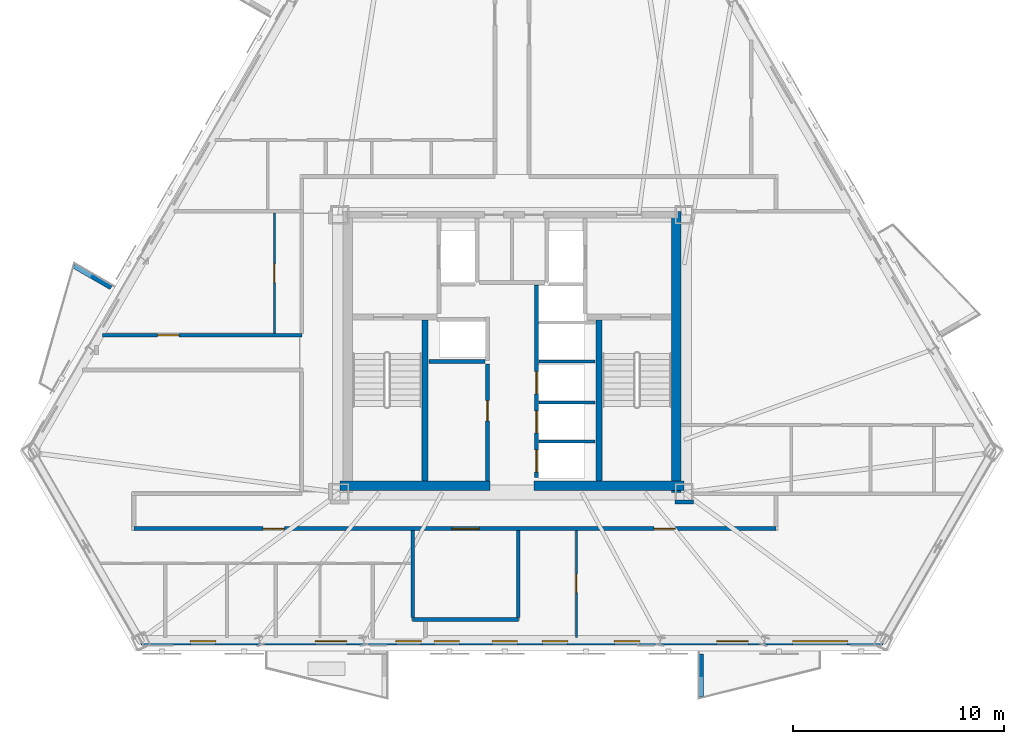
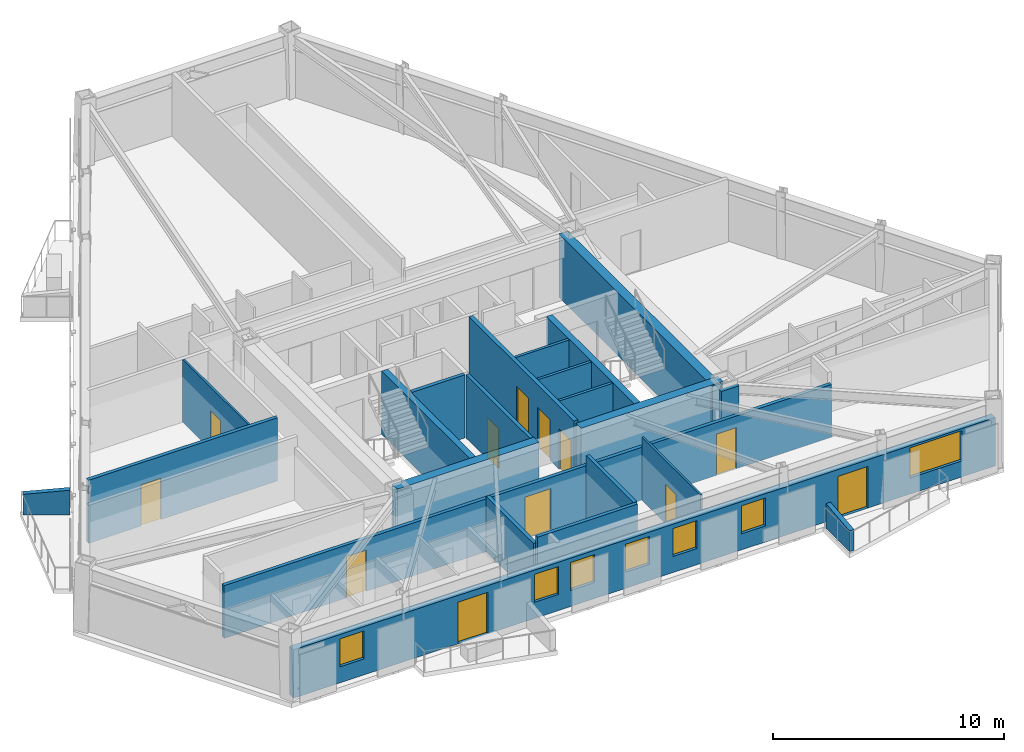
# One storey, part 3 of 9: 22 walls, 12 doors, 7 windows, 19 openings.
"""IFC4 building model written with IfcOpenShell, lengths in metres."""

from ifc_helpers import new_model, si_unit, direction, frame, frame_2d, origin, place, context, subcontext, project, spatial, polyline, rectangle, outline, extrude, material, layer, layer_set, type_object, element, fill, save


model = new_model("IFC4")

# Units and contexts
model_context = context("Model", 3, precision=1e-05, world=origin(), true_north=direction((0.0, 1.0)))
body_context = subcontext(model_context, "Body", "Model", "MODEL_VIEW")
ifc_project = project(units=[si_unit("LENGTHUNIT", "METRE"), si_unit("AREAUNIT", "SQUARE_METRE"), si_unit("VOLUMEUNIT", "CUBIC_METRE"), si_unit("PLANEANGLEUNIT", "RADIAN"), si_unit("MASSUNIT", "GRAM", prefix="KILO")], contexts=[model_context])

# Site, building, storey
site_placement = place(None, origin())
site = spatial("IfcSite", under=ifc_project, at=site_placement, CompositionType="ELEMENT")
building_placement = place(site_placement, origin())
building = spatial("IfcBuilding", under=site, at=building_placement, Name="Oramaril Tower", CompositionType="ELEMENT")
storey_placement = place(building_placement, frame((0.0, 0.0, 130.199951171875)))
storey = spatial("IfcBuildingStorey", under=building, at=storey_placement, Name="L34", CompositionType="ELEMENT", Elevation=130.199951171875)

# Wall, openings, doors, windows
ifc_material_1 = material(Name="Warm Cream Limestone", Category="masonry")
ifc_layer_1 = layer(ifc_material_1, 0.340087890625)
ifc_layer_set_1 = layer_set([ifc_layer_1], Name="WT-EXT34")
wall_type_1 = type_object("IfcWallType", Name="WT-EXT34", PredefinedType="SOLIDWALL", material=ifc_layer_set_1)
wall_1_placement = place(storey_placement, frame((19.939208984375, 3.9599609375, 0.0), z_axis=(0.0, 0.0, 1.0), x_axis=(1.0, 0.0, 0.0)))
wall_1 = element("IfcWall", 1, at=wall_1_placement, inside=storey, type_object=wall_type_1, Name="L34 Tower Limestone Facade Wall 2M", PredefinedType="SOLIDWALL", context=body_context, shape_type="SweptSolid", body=[
    extrude(rectangle(XDim=35.12158203125, YDim=0.340087890625, at=frame_2d((17.560791015625, 0.0))), origin(), (0.0, 0.0, 1.0), 2.55810546875),
])
opening_1_placement = place(wall_1_placement, frame((8.244384765625, 0.0, 0.0)))
opening_1 = element("IfcOpeningElement", 2, at=opening_1_placement, cuts=wall_1, Name="Opening D-L34-BAL-S1", PredefinedType="OPENING", context=body_context, shape_type="SweptSolid", body=[
    extrude(rectangle(XDim=1.5, YDim=2.199951171875, at=frame_2d((0.75, 1.10009765625))), frame((0.0, 0.169921875, 0.0), z_axis=(0.0, -1.0, 0.0), x_axis=(1.0, 0.0, 0.0)), (0.0, 0.0, 1.0), 0.340087890625),
])
opening_2_placement = place(wall_1_placement, frame((27.252197265625, 0.0, 0.0)))
opening_2 = element("IfcOpeningElement", 3, at=opening_2_placement, cuts=wall_1, Name="Opening D-L34-BAL-S2", PredefinedType="OPENING", context=body_context, shape_type="SweptSolid", body=[
    extrude(rectangle(XDim=1.5, YDim=2.199951171875, at=frame_2d((0.75, 1.10009765625))), frame((0.0, 0.169921875, 0.0), z_axis=(0.0, -1.0, 0.0), x_axis=(1.0, 0.0, 0.0)), (0.0, 0.0, 1.0), 0.340087890625),
])
opening_3_placement = place(wall_1_placement, frame((12.05908203125, 0.0, 0.85009765625)))
opening_3 = element("IfcOpeningElement", 4, at=opening_3_placement, cuts=wall_1, Name="Opening WN-09", PredefinedType="OPENING", context=body_context, shape_type="SweptSolid", body=[
    extrude(rectangle(XDim=1.199951171875, YDim=1.47998046875, at=frame_2d((0.60009765625, 0.739990234375))), frame((0.0, 0.169921875, 0.0), z_axis=(0.0, -1.0, 0.0), x_axis=(1.0, 0.0, 0.0)), (0.0, 0.0, 1.0), 0.340087890625),
])
opening_4_placement = place(wall_1_placement, frame((16.6171875, 0.0, 0.85009765625)))
opening_4 = element("IfcOpeningElement", 5, at=opening_4_placement, cuts=wall_1, Name="Opening WN-09", PredefinedType="OPENING", context=body_context, shape_type="SweptSolid", body=[
    extrude(rectangle(XDim=1.199951171875, YDim=1.47998046875, at=frame_2d((0.60009765625, 0.739990234375))), frame((0.0, 0.169921875, 0.0), z_axis=(0.0, -1.0, 0.0), x_axis=(1.0, 0.0, 0.0)), (0.0, 0.0, 1.0), 0.340087890625),
])
opening_5_placement = place(wall_1_placement, frame((22.4091796875, 0.0, 0.85009765625)))
opening_5 = element("IfcOpeningElement", 6, at=opening_5_placement, cuts=wall_1, Name="Opening WN-09", PredefinedType="OPENING", context=body_context, shape_type="SweptSolid", body=[
    extrude(rectangle(XDim=1.199951171875, YDim=1.47998046875, at=frame_2d((0.60009765625, 0.739990234375))), frame((0.0, 0.169921875, 0.0), z_axis=(0.0, -1.0, 0.0), x_axis=(1.0, 0.0, 0.0)), (0.0, 0.0, 1.0), 0.340087890625),
])
opening_6_placement = place(wall_1_placement, frame((30.844482421875, 0.0, 0.85009765625)))
opening_6 = element("IfcOpeningElement", 7, at=opening_6_placement, cuts=wall_1, Name="Opening WN-02", PredefinedType="OPENING", context=body_context, shape_type="SweptSolid", body=[
    extrude(rectangle(XDim=2.60009765625, YDim=1.597900390625, at=frame_2d((1.300048828125, 0.798828125))), frame((0.0, 0.169921875, 0.0), z_axis=(0.0, -1.0, 0.0), x_axis=(1.0, 0.0, 0.0)), (0.0, 0.0, 1.0), 0.340087890625),
])
opening_7_placement = place(wall_1_placement, frame((13.871337890625, 0.0, 0.85009765625)))
opening_7 = element("IfcOpeningElement", 8, at=opening_7_placement, cuts=wall_1, Name="Opening WN-09", PredefinedType="OPENING", context=body_context, shape_type="SweptSolid", body=[
    extrude(rectangle(XDim=1.199951171875, YDim=1.47998046875, at=frame_2d((0.60009765625, 0.739990234375))), frame((0.0, 0.169921875, 0.0), z_axis=(0.0, -1.0, 0.0), x_axis=(1.0, 0.0, 0.0)), (0.0, 0.0, 1.0), 0.340087890625),
])
opening_8_placement = place(wall_1_placement, frame((18.99658203125, 0.0, 0.85009765625)))
opening_8 = element("IfcOpeningElement", 9, at=opening_8_placement, cuts=wall_1, Name="Opening WN-09", PredefinedType="OPENING", context=body_context, shape_type="SweptSolid", body=[
    extrude(rectangle(XDim=1.199951171875, YDim=1.47998046875, at=frame_2d((0.60009765625, 0.739990234375))), frame((0.0, 0.169921875, 0.0), z_axis=(0.0, -1.0, 0.0), x_axis=(1.0, 0.0, 0.0)), (0.0, 0.0, 1.0), 0.340087890625),
])
opening_9_placement = place(wall_1_placement, frame((2.33740234375, 0.0, 0.85009765625)))
opening_9 = element("IfcOpeningElement", 10, at=opening_9_placement, cuts=wall_1, Name="Opening WN-09", PredefinedType="OPENING", context=body_context, shape_type="SweptSolid", body=[
    extrude(rectangle(XDim=1.199951171875, YDim=1.47998046875, at=frame_2d((0.60009765625, 0.739990234375))), frame((0.0, 0.169921875, 0.0), z_axis=(0.0, -1.0, 0.0), x_axis=(1.0, 0.0, 0.0)), (0.0, 0.0, 1.0), 0.340087890625),
])
ifc_material_2 = material(Name="Anodised Aluminium 6063-T6", Category="aluminium")
door_type_1 = type_object("IfcDoorType", Name="DT-BAL", OperationType="NOTDEFINED", PredefinedType="DOOR", material=ifc_material_2)
door_1_placement = place(opening_1_placement, origin())
door_1 = element("IfcDoor", 11, at=door_1_placement, inside=storey, type_object=door_type_1, Name="L34 Balcony Glazed Door L34-BAL-S1", OperationType="SINGLE_SWING_LEFT", OverallHeight=2.199951171875, OverallWidth=1.5, PredefinedType="DOOR", context=body_context, shape_type="SweptSolid", body=[
    extrude(rectangle(XDim=1.5, YDim=2.199951171875, at=frame_2d((0.75, 1.10009765625))), frame((0.0, 0.02490234375, 0.0), z_axis=(0.0, -1.0, 0.0), x_axis=(1.0, 0.0, 0.0)), (0.0, 0.0, 1.0), 0.050048828125),
])
fill(opening_1, door_1)
door_2_placement = place(opening_2_placement, origin())
door_2 = element("IfcDoor", 12, at=door_2_placement, inside=storey, type_object=door_type_1, Name="L34 Balcony Glazed Door L34-BAL-S2", OperationType="SINGLE_SWING_RIGHT", OverallHeight=2.199951171875, OverallWidth=1.5, PredefinedType="DOOR", context=body_context, shape_type="SweptSolid", body=[
    extrude(rectangle(XDim=1.5, YDim=2.199951171875, at=frame_2d((0.75, 1.10009765625))), frame((0.0, 0.02490234375, 0.0), z_axis=(0.0, -1.0, 0.0), x_axis=(1.0, 0.0, 0.0)), (0.0, 0.0, 1.0), 0.050048828125),
])
fill(opening_2, door_2)
ifc_material_3 = material(Name="Coastal Low-E Insulated Glass", Category="glass")
window_type_1 = type_object("IfcWindowType", Name="WNT-02", PartitioningType="SINGLE_PANEL", PredefinedType="WINDOW", material=ifc_material_3)
window_1_placement = place(opening_6_placement, origin())
window_1 = element("IfcWindow", 13, at=window_1_placement, inside=storey, type_object=window_type_1, Name="L34 Chicago Bay Window WN-02", OverallHeight=1.597900390625, OverallWidth=2.60009765625, PartitioningType="SINGLE_PANEL", PredefinedType="WINDOW", context=body_context, shape_type="SweptSolid", body=[
    extrude(rectangle(XDim=2.60009765625, YDim=1.597900390625, at=frame_2d((1.300048828125, 0.798828125))), frame((0.0, 0.030029296875, 0.0), z_axis=(0.0, -1.0, 0.0), x_axis=(1.0, 0.0, 0.0)), (0.0, 0.0, 1.0), 0.06005859375),
])
fill(opening_6, window_1)
ifc_material_4 = material(Name="Coastal Low-E Insulated Glass", Category="glass")
window_type_2 = type_object("IfcWindowType", Name="WNT-09", PartitioningType="SINGLE_PANEL", PredefinedType="WINDOW", material=ifc_material_4)
window_2_placement = place(opening_3_placement, origin())
window_2 = element("IfcWindow", 14, at=window_2_placement, inside=storey, type_object=window_type_2, Name="L34 Chicago Bay Window WN-09", OverallHeight=1.47998046875, OverallWidth=1.199951171875, PartitioningType="SINGLE_PANEL", PredefinedType="WINDOW", context=body_context, shape_type="SweptSolid", body=[
    extrude(rectangle(XDim=1.199951171875, YDim=1.47998046875, at=frame_2d((0.60009765625, 0.739990234375))), frame((0.0, 0.030029296875, 0.0), z_axis=(0.0, -1.0, 0.0), x_axis=(1.0, 0.0, 0.0)), (0.0, 0.0, 1.0), 0.06005859375),
])
fill(opening_3, window_2)
window_3_placement = place(opening_4_placement, origin())
window_3 = element("IfcWindow", 15, at=window_3_placement, inside=storey, type_object=window_type_2, Name="L34 Chicago Bay Window WN-09", OverallHeight=1.47998046875, OverallWidth=1.199951171875, PartitioningType="SINGLE_PANEL", PredefinedType="WINDOW", context=body_context, shape_type="SweptSolid", body=[
    extrude(rectangle(XDim=1.199951171875, YDim=1.47998046875, at=frame_2d((0.60009765625, 0.739990234375))), frame((0.0, 0.030029296875, 0.0), z_axis=(0.0, -1.0, 0.0), x_axis=(1.0, 0.0, 0.0)), (0.0, 0.0, 1.0), 0.06005859375),
])
fill(opening_4, window_3)
window_4_placement = place(opening_5_placement, origin())
window_4 = element("IfcWindow", 16, at=window_4_placement, inside=storey, type_object=window_type_2, Name="L34 Chicago Bay Window WN-09", OverallHeight=1.47998046875, OverallWidth=1.199951171875, PartitioningType="SINGLE_PANEL", PredefinedType="WINDOW", context=body_context, shape_type="SweptSolid", body=[
    extrude(rectangle(XDim=1.199951171875, YDim=1.47998046875, at=frame_2d((0.60009765625, 0.739990234375))), frame((0.0, 0.030029296875, 0.0), z_axis=(0.0, -1.0, 0.0), x_axis=(1.0, 0.0, 0.0)), (0.0, 0.0, 1.0), 0.06005859375),
])
fill(opening_5, window_4)
window_5_placement = place(opening_7_placement, origin())
window_5 = element("IfcWindow", 17, at=window_5_placement, inside=storey, type_object=window_type_2, Name="L34 Chicago Bay Window WN-09", OverallHeight=1.47998046875, OverallWidth=1.199951171875, PartitioningType="SINGLE_PANEL", PredefinedType="WINDOW", context=body_context, shape_type="SweptSolid", body=[
    extrude(rectangle(XDim=1.199951171875, YDim=1.47998046875, at=frame_2d((0.60009765625, 0.739990234375))), frame((0.0, 0.030029296875, 0.0), z_axis=(0.0, -1.0, 0.0), x_axis=(1.0, 0.0, 0.0)), (0.0, 0.0, 1.0), 0.06005859375),
])
fill(opening_7, window_5)
window_6_placement = place(opening_8_placement, origin())
window_6 = element("IfcWindow", 18, at=window_6_placement, inside=storey, type_object=window_type_2, Name="L34 Chicago Bay Window WN-09", OverallHeight=1.47998046875, OverallWidth=1.199951171875, PartitioningType="SINGLE_PANEL", PredefinedType="WINDOW", context=body_context, shape_type="SweptSolid", body=[
    extrude(rectangle(XDim=1.199951171875, YDim=1.47998046875, at=frame_2d((0.60009765625, 0.739990234375))), frame((0.0, 0.030029296875, 0.0), z_axis=(0.0, -1.0, 0.0), x_axis=(1.0, 0.0, 0.0)), (0.0, 0.0, 1.0), 0.06005859375),
])
fill(opening_8, window_6)
window_7_placement = place(opening_9_placement, origin())
window_7 = element("IfcWindow", 19, at=window_7_placement, inside=storey, type_object=window_type_2, Name="L34 Chicago Bay Window WN-09", OverallHeight=1.47998046875, OverallWidth=1.199951171875, PartitioningType="SINGLE_PANEL", PredefinedType="WINDOW", context=body_context, shape_type="SweptSolid", body=[
    extrude(rectangle(XDim=1.199951171875, YDim=1.47998046875, at=frame_2d((0.60009765625, 0.739990234375))), frame((0.0, 0.030029296875, 0.0), z_axis=(0.0, -1.0, 0.0), x_axis=(1.0, 0.0, 0.0)), (0.0, 0.0, 1.0), 0.06005859375),
])
fill(opening_9, window_7)

# Walls
ifc_material_5 = material(Name="Concrete C40/50", Category="concrete")
ifc_layer_2 = layer(ifc_material_5, 0.22998046875)
ifc_layer_set_2 = layer_set([ifc_layer_2], Name="WT-PRP23")
wall_type_2 = type_object("IfcWallType", Name="WT-PRP23", PredefinedType="PARAPET", material=ifc_layer_set_2)
for number, where, z_axis, x_axis, name in (
    (20, (46.456298828125, 3.36181640625, 0.0), (0.0, 0.0, 1.0), (0.0, -1.0, 0.0), "L34 Trapezoidal Balcony Frame Cheek L34-BAL-S2-L"),
    (21, (18.526123046875, 20.71240234375, 0.0), (0.0, 0.0, 1.0), (-0.866012356593, 0.500022597718, 0.0), "L34 Trapezoidal Balcony Frame Cheek L34-BAL-NW2-L"),
):
    element("IfcWall", number, at=place(storey_placement, frame(where, z_axis=z_axis, x_axis=x_axis)), inside=storey, type_object=wall_type_2, Name=name, PredefinedType="PARAPET", context=body_context, shape_type="SweptSolid", body=[
        extrude(outline(polyline([(0.0, 0.0), (2.0419921875, 0.0), (2.0419921875, 1.10009765625), (0.0, 1.320068359375), (0.0, 0.0)])), frame((0.0, 0.114990234375, 0.0), z_axis=(0.0, -1.0, 0.0), x_axis=(1.0, 0.0, 0.0)), (0.0, 0.0, 1.0), 0.22998046875),
    ])

# Wall, opening, door
ifc_material_6 = material(Name="Acoustic Gypsum Board Partition")
ifc_layer_3 = layer(ifc_material_6, 0.10009765625)
ifc_layer_set_3 = layer_set([ifc_layer_3], Name="WT-PT10")
wall_type_3 = type_object("IfcWallType", Name="WT-PT10", PredefinedType="PARTITIONING", material=ifc_layer_set_3)
wall_2_placement = place(storey_placement, frame((26.25, 18.5439453125, 0.0), z_axis=(0.0, 0.0, 1.0), x_axis=(0.0, 1.0, 0.0)))
wall_2 = element("IfcWall", 22, at=wall_2_placement, inside=storey, type_object=wall_type_3, Name="L34 Interior Partition PT-10", PredefinedType="PARTITIONING", context=body_context, shape_type="SweptSolid", body=[
    extrude(rectangle(XDim=5.68212890625, YDim=0.10009765625, at=frame_2d((2.841064453125, 0.0))), origin(), (0.0, 0.0, 1.0), 3.340087890625),
])
opening_10_placement = place(wall_2_placement, frame((2.40087890625, 0.0, 0.0)))
opening_10 = element("IfcOpeningElement", 23, at=opening_10_placement, cuts=wall_2, Name="Opening D-L34-21", PredefinedType="OPENING", context=body_context, shape_type="SweptSolid", body=[
    extrude(rectangle(XDim=0.8798828125, YDim=2.080078125, at=frame_2d((0.43994140625, 1.0400390625))), frame((0.0, 0.050048828125, 0.0), z_axis=(0.0, -1.0, 0.0), x_axis=(1.0, 0.0, 0.0)), (0.0, 0.0, 1.0), 0.10009765625),
])
ifc_material_7 = material(Name="FSC Brazilian Freijo Hardwood", Category="wood")
door_type_2 = type_object("IfcDoorType", Name="DT-BATH", OperationType="NOTDEFINED", PredefinedType="DOOR", material=ifc_material_7)
door_3_placement = place(opening_10_placement, origin())
door_3 = element("IfcDoor", 24, at=door_3_placement, inside=storey, type_object=door_type_2, Name="L34 Flat L34-U3 Bathroom Door D-L34-21", OperationType="SINGLE_SWING_LEFT", OverallHeight=2.080078125, OverallWidth=0.8798828125, PredefinedType="DOOR", context=body_context, shape_type="SweptSolid", body=[
    extrude(rectangle(XDim=0.8798828125, YDim=2.080078125, at=frame_2d((0.43994140625, 1.0400390625))), frame((0.0, 0.02490234375, 0.0), z_axis=(0.0, -1.0, 0.0), x_axis=(1.0, 0.0, 0.0)), (0.0, 0.0, 1.0), 0.050048828125),
])
fill(opening_10, door_3)

wall_3_placement = place(storey_placement, frame((40.550048828125, 4.1337890625, 0.0), z_axis=(0.0, 0.0, 1.0), x_axis=(0.0, 1.0, 0.0)))
wall_3 = element("IfcWall", 25, at=wall_3_placement, inside=storey, type_object=wall_type_3, Name="L34 Interior Partition PT-10", PredefinedType="PARTITIONING", context=body_context, shape_type="SweptSolid", body=[
    extrude(rectangle(XDim=5.072265625, YDim=0.10009765625, at=frame_2d((2.5361328125, 0.0))), origin(), (0.0, 0.0, 1.0), 3.340087890625),
])
opening_11_placement = place(wall_3_placement, frame((2.131103515625, 0.0, 0.0)))
opening_11 = element("IfcOpeningElement", 26, at=opening_11_placement, cuts=wall_3, Name="Opening D-L34-24", PredefinedType="OPENING", context=body_context, shape_type="SweptSolid", body=[
    extrude(rectangle(XDim=0.8798828125, YDim=2.080078125, at=frame_2d((0.43994140625, 1.0400390625))), frame((0.0, 0.050048828125, 0.0), z_axis=(0.0, -1.0, 0.0), x_axis=(1.0, 0.0, 0.0)), (0.0, 0.0, 1.0), 0.10009765625),
])
door_4_placement = place(opening_11_placement, origin())
door_4 = element("IfcDoor", 27, at=door_4_placement, inside=storey, type_object=door_type_2, Name="L34 Flat L34-U1 Bathroom Door D-L34-24", OperationType="SINGLE_SWING_RIGHT", OverallHeight=2.080078125, OverallWidth=0.8798828125, PredefinedType="DOOR", context=body_context, shape_type="SweptSolid", body=[
    extrude(rectangle(XDim=0.8798828125, YDim=2.080078125, at=frame_2d((0.43994140625, 1.0400390625))), frame((0.0, 0.02490234375, 0.0), z_axis=(0.0, -1.0, 0.0), x_axis=(1.0, 0.0, 0.0)), (0.0, 0.0, 1.0), 0.050048828125),
])
fill(opening_11, door_4)

# Walls
ifc_material_8 = material(Name="Acoustic Gypsum Board Partition")
ifc_layer_4 = layer(ifc_material_8, 0.139892578125)
ifc_layer_set_4 = layer_set([ifc_layer_4], Name="WT-PT14")
wall_type_4 = type_object("IfcWallType", Name="WT-PT14", PredefinedType="PARTITIONING", material=ifc_layer_set_4)
for number, where, z_axis, x_axis, name in (
    (28, (38.780029296875, 13.419921875, 0.0), (0.0, 0.0, 1.0), (1.0, 0.0, 0.0), "L34 East Lift Divider"),
    (29, (38.780029296875, 15.27001953125, 0.0), (0.0, 0.0, 1.0), (1.0, 0.0, 0.0), "L34 East Lift Divider"),
    (30, (38.780029296875, 17.199951171875, 0.0), (0.0, 0.0, 1.0), (1.0, 0.0, 0.0), "L34 East Lift Divider"),
):
    element("IfcWall", number, at=place(storey_placement, frame(where, z_axis=z_axis, x_axis=x_axis)), inside=storey, type_object=wall_type_4, Name=name, PredefinedType="PARTITIONING", context=body_context, shape_type="SweptSolid", body=[
        extrude(rectangle(XDim=2.659912109375, YDim=0.139892578125, at=frame_2d((1.330078125, 0.0))), origin(), (0.0, 0.0, 1.0), 3.340087890625),
    ])
ifc_material_9 = material(Name="Autoclaved Cellular Concrete Block", Category="concrete")
ifc_layer_5 = layer(ifc_material_9, 0.179931640625)
ifc_layer_set_5 = layer_set([ifc_layer_5], Name="WT-PT18")
wall_type_5 = type_object("IfcWallType", Name="WT-PT18", PredefinedType="PARTITIONING", material=ifc_layer_set_5)
wall_4_placement = place(storey_placement, frame((33.56005859375, 17.199951171875, 0.0), z_axis=(0.0, 0.0, 1.0), x_axis=(1.0, 0.0, 0.0)))
element("IfcWall", 31, at=wall_4_placement, inside=storey, type_object=wall_type_5, Name="L34 High-Rise Lift H1 South Wall", PredefinedType="PARTITIONING", context=body_context, shape_type="SweptSolid", body=[
    extrude(rectangle(XDim=2.659912109375, YDim=0.179931640625, at=frame_2d((1.330078125, 0.0))), origin(), (0.0, 0.0, 1.0), 3.340087890625),
])

# Wall, opening, door
wall_5_placement = place(storey_placement, frame((36.340087890625, 11.550048828125, 0.0), z_axis=(0.0, 0.0, 1.0), x_axis=(0.0, 1.0, 0.0)))
wall_5 = element("IfcWall", 32, at=wall_5_placement, inside=storey, type_object=wall_type_5, Name="L34 Freed Shaft Study East Wall", PredefinedType="PARTITIONING", context=body_context, shape_type="SweptSolid", body=[
    extrude(rectangle(XDim=5.550048828125, YDim=0.179931640625, at=frame_2d((2.77490234375, 0.0))), origin(), (0.0, 0.0, 1.0), 3.340087890625),
])
opening_12_placement = place(wall_5_placement, frame((2.85009765625, 0.0, 0.0)))
opening_12 = element("IfcOpeningElement", 33, at=opening_12_placement, cuts=wall_5, Name="Opening D-L34-FL1", PredefinedType="OPENING", context=body_context, shape_type="SweptSolid", body=[
    extrude(rectangle(XDim=0.949951171875, YDim=2.10009765625, at=frame_2d((0.47509765625, 1.050048828125))), frame((0.0, 0.08984375, 0.0), z_axis=(0.0, -1.0, 0.0), x_axis=(1.0, 0.0, 0.0)), (0.0, 0.0, 1.0), 0.179931640625),
])
ifc_material_10 = material(Name="FSC Brazilian Freijo Hardwood", Category="wood")
door_type_3 = type_object("IfcDoorType", Name="DT-STDY", OperationType="NOTDEFINED", PredefinedType="DOOR", material=ifc_material_10)
door_5_placement = place(opening_12_placement, origin())
door_5 = element("IfcDoor", 34, at=door_5_placement, inside=storey, type_object=door_type_3, Name="L34 L34 Residents Study Alcove Door", OperationType="SINGLE_SWING_LEFT", OverallHeight=2.10009765625, OverallWidth=0.949951171875, PredefinedType="DOOR", context=body_context, shape_type="SweptSolid", body=[
    extrude(rectangle(XDim=0.949951171875, YDim=2.10009765625, at=frame_2d((0.47509765625, 1.050048828125))), frame((0.0, 0.02490234375, 0.0), z_axis=(0.0, -1.0, 0.0), x_axis=(1.0, 0.0, 0.0)), (0.0, 0.0, 1.0), 0.050048828125),
])
fill(opening_12, door_5)

# Wall
wall_6_placement = place(storey_placement, frame((32.800048828125, 5.0, 0.0), z_axis=(0.0, 0.0, 1.0), x_axis=(1.0, 0.0, 0.0)))
element("IfcWall", 35, at=wall_6_placement, inside=storey, type_object=wall_type_5, Name="L34 Interior Partition PT-18", PredefinedType="PARTITIONING", context=body_context, shape_type="SweptSolid", body=[
    extrude(rectangle(XDim=5.0, YDim=0.179931640625, at=frame_2d((2.5, 0.0))), origin(), (0.0, 0.0, 1.0), 3.340087890625),
])

# Wall, openings, doors
wall_7_placement = place(storey_placement, frame((19.60009765625, 9.300048828125, 0.0), z_axis=(0.0, 0.0, 1.0), x_axis=(1.0, 0.0, 0.0)))
wall_7 = element("IfcWall", 36, at=wall_7_placement, inside=storey, type_object=wall_type_5, Name="L34 Interior Partition PT-18", PredefinedType="PARTITIONING", context=body_context, shape_type="SweptSolid", body=[
    extrude(rectangle(XDim=30.39990234375, YDim=0.179931640625, at=frame_2d((15.199951171875, 0.0))), origin(), (0.0, 0.0, 1.0), 2.7939453125),
])
opening_13_placement = place(wall_7_placement, frame((6.12109375, 0.0, 0.0)))
opening_13 = element("IfcOpeningElement", 37, at=opening_13_placement, cuts=wall_7, Name="Opening D-L34-07", PredefinedType="OPENING", context=body_context, shape_type="SweptSolid", body=[
    extrude(rectangle(XDim=1.0, YDim=2.179931640625, at=frame_2d((0.5, 1.08984375))), frame((0.0, 0.08984375, 0.0), z_axis=(0.0, -1.0, 0.0), x_axis=(1.0, 0.0, 0.0)), (0.0, 0.0, 1.0), 0.179931640625),
])
opening_14_placement = place(wall_7_placement, frame((15.050048828125, 0.0, 0.0)))
opening_14 = element("IfcOpeningElement", 38, at=opening_14_placement, cuts=wall_7, Name="Opening D-L34-08", PredefinedType="OPENING", context=body_context, shape_type="SweptSolid", body=[
    extrude(rectangle(XDim=1.300048828125, YDim=2.199951171875, at=frame_2d((0.64990234375, 1.10009765625))), frame((0.0, 0.08984375, 0.0), z_axis=(0.0, -1.0, 0.0), x_axis=(1.0, 0.0, 0.0)), (0.0, 0.0, 1.0), 0.179931640625),
])
opening_15_placement = place(wall_7_placement, frame((24.62939453125, 0.0, 0.0)))
opening_15 = element("IfcOpeningElement", 39, at=opening_15_placement, cuts=wall_7, Name="Opening D-L34-09", PredefinedType="OPENING", context=body_context, shape_type="SweptSolid", body=[
    extrude(rectangle(XDim=1.0, YDim=2.179931640625, at=frame_2d((0.5, 1.08984375))), frame((0.0, 0.08984375, 0.0), z_axis=(0.0, -1.0, 0.0), x_axis=(1.0, 0.0, 0.0)), (0.0, 0.0, 1.0), 0.179931640625),
])
ifc_material_11 = material(Name="FSC Brazilian Freijo Hardwood", Category="wood")
door_type_4 = type_object("IfcDoorType", Name="DT-APT", OperationType="NOTDEFINED", PredefinedType="DOOR", material=ifc_material_11)
door_6_placement = place(opening_13_placement, origin())
door_6 = element("IfcDoor", 40, at=door_6_placement, inside=storey, type_object=door_type_4, Name="L34 Flat L34-U2 Penthouse Living and Dining Room Door D-L34-07", OperationType="SINGLE_SWING_LEFT", OverallHeight=2.179931640625, OverallWidth=1.0, PredefinedType="DOOR", context=body_context, shape_type="SweptSolid", body=[
    extrude(rectangle(XDim=1.0, YDim=2.179931640625, at=frame_2d((0.5, 1.08984375))), frame((0.0, 0.02490234375, 0.0), z_axis=(0.0, -1.0, 0.0), x_axis=(1.0, 0.0, 0.0)), (0.0, 0.0, 1.0), 0.050048828125),
])
fill(opening_13, door_6)
door_7_placement = place(opening_15_placement, origin())
door_7 = element("IfcDoor", 41, at=door_7_placement, inside=storey, type_object=door_type_4, Name="L34 Flat L34-U1 Kitchen and Studio Apartment Door D-L34-09", OperationType="SINGLE_SWING_LEFT", OverallHeight=2.179931640625, OverallWidth=1.0, PredefinedType="DOOR", context=body_context, shape_type="SweptSolid", body=[
    extrude(rectangle(XDim=1.0, YDim=2.179931640625, at=frame_2d((0.5, 1.08984375))), frame((0.0, 0.02490234375, 0.0), z_axis=(0.0, -1.0, 0.0), x_axis=(1.0, 0.0, 0.0)), (0.0, 0.0, 1.0), 0.050048828125),
])
fill(opening_15, door_7)
ifc_material_12 = material(Name="FSC Brazilian Freijo Hardwood", Category="wood")
door_type_5 = type_object("IfcDoorType", Name="DT-COM", OperationType="NOTDEFINED", PredefinedType="DOOR", material=ifc_material_12)
door_8_placement = place(opening_14_placement, origin())
door_8 = element("IfcDoor", 42, at=door_8_placement, inside=storey, type_object=door_type_5, Name="L34 L34 Residents Floor Meeting Suite Door D-L34-08", OperationType="SINGLE_SWING_RIGHT", OverallHeight=2.199951171875, OverallWidth=1.300048828125, PredefinedType="DOOR", context=body_context, shape_type="SweptSolid", body=[
    extrude(rectangle(XDim=1.300048828125, YDim=2.199951171875, at=frame_2d((0.64990234375, 1.10009765625))), frame((0.0, 0.02490234375, 0.0), z_axis=(0.0, -1.0, 0.0), x_axis=(1.0, 0.0, 0.0)), (0.0, 0.0, 1.0), 0.050048828125),
])
fill(opening_14, door_8)

# Wall
wall_8_placement = place(storey_placement, frame((45.205078125, 10.550048828125, 0.0), z_axis=(0.0, 0.0, 1.0), x_axis=(1.0, 0.0, 0.0)))
element("IfcWall", 43, at=wall_8_placement, inside=storey, type_object=wall_type_5, Name="L34 Interior Partition PT-18", PredefinedType="PARTITIONING", context=body_context, shape_type="SweptSolid", body=[
    extrude(rectangle(XDim=0.889892578125, YDim=0.179931640625, at=frame_2d((0.44482421875, 0.0))), origin(), (0.0, 0.0, 1.0), 3.340087890625),
])

# Wall, opening, door
wall_9_placement = place(storey_placement, frame((18.111328125, 18.449951171875, 0.0), z_axis=(0.0, 0.0, 1.0), x_axis=(1.0, 0.0, 0.0)))
wall_9 = element("IfcWall", 44, at=wall_9_placement, inside=storey, type_object=wall_type_5, Name="L34 Interior Partition PT-18", PredefinedType="PARTITIONING", context=body_context, shape_type="SweptSolid", body=[
    extrude(rectangle(XDim=9.438720703125, YDim=0.179931640625, at=frame_2d((4.71923828125, 0.0))), origin(), (0.0, 0.0, 1.0), 3.340087890625),
])
opening_16_placement = place(wall_9_placement, frame((2.617919921875, 0.0, 0.0)))
opening_16 = element("IfcOpeningElement", 45, at=opening_16_placement, cuts=wall_9, Name="Opening D-L34-14", PredefinedType="OPENING", context=body_context, shape_type="SweptSolid", body=[
    extrude(rectangle(XDim=1.0, YDim=2.179931640625, at=frame_2d((0.5, 1.08984375))), frame((0.0, 0.08984375, 0.0), z_axis=(0.0, -1.0, 0.0), x_axis=(1.0, 0.0, 0.0)), (0.0, 0.0, 1.0), 0.179931640625),
])
door_9_placement = place(opening_16_placement, origin())
door_9 = element("IfcDoor", 46, at=door_9_placement, inside=storey, type_object=door_type_4, Name="L34 Flat L34-U3 Kitchen and Studio Apartment Door D-L34-14", OperationType="SINGLE_SWING_RIGHT", OverallHeight=2.179931640625, OverallWidth=1.0, PredefinedType="DOOR", context=body_context, shape_type="SweptSolid", body=[
    extrude(rectangle(XDim=1.0, YDim=2.179931640625, at=frame_2d((0.5, 1.08984375))), frame((0.0, 0.02490234375, 0.0), z_axis=(0.0, -1.0, 0.0), x_axis=(1.0, 0.0, 0.0)), (0.0, 0.0, 1.0), 0.050048828125),
])
fill(opening_16, door_9)

# Walls
wall_10_placement = place(storey_placement, frame((32.800048828125, 5.093994140625, 0.0), z_axis=(0.0, 0.0, 1.0), x_axis=(0.0, 1.0, 0.0)))
element("IfcWall", 47, at=wall_10_placement, inside=storey, type_object=wall_type_5, Name="L34 Interior Partition PT-18", PredefinedType="PARTITIONING", context=body_context, shape_type="SweptSolid", body=[
    extrude(rectangle(XDim=4.112060546875, YDim=0.179931640625, at=frame_2d((2.05615234375, 0.0))), origin(), (0.0, 0.0, 1.0), 2.926025390625),
])
wall_11_placement = place(storey_placement, frame((37.800048828125, 5.093994140625, 0.0), z_axis=(0.0, 0.0, 1.0), x_axis=(0.0, 1.0, 0.0)))
element("IfcWall", 48, at=wall_11_placement, inside=storey, type_object=wall_type_5, Name="L34 Interior Partition PT-18", PredefinedType="PARTITIONING", context=body_context, shape_type="SweptSolid", body=[
    extrude(rectangle(XDim=4.112060546875, YDim=0.179931640625, at=frame_2d((2.05615234375, 0.0))), origin(), (0.0, 0.0, 1.0), 3.340087890625),
])
ifc_material_13 = material(Name="Concrete C50/60", Category="concrete")
ifc_layer_6 = layer(ifc_material_13, 0.300048828125)
ifc_layer_set_6 = layer_set([ifc_layer_6], Name="WT-SH30")
wall_type_6 = type_object("IfcWallType", Name="WT-SH30", PredefinedType="SHEAR", material=ifc_layer_set_6)
for number, where, z_axis, x_axis, name in (
    (49, (33.3798828125, 11.5400390625, 0.0), (0.0, 0.0, 1.0), (0.0, 1.0, 0.0), "L34 Core Shear Wall CW-ST1E"),
    (50, (41.6201171875, 11.5400390625, 0.0), (0.0, 0.0, 1.0), (0.0, 1.0, 0.0), "L34 Core Shear Wall CW-ST2W"),
):
    element("IfcWall", number, at=place(storey_placement, frame(where, z_axis=z_axis, x_axis=x_axis)), inside=storey, type_object=wall_type_6, Name=name, PredefinedType="SHEAR", context=body_context, shape_type="SweptSolid", body=[
        extrude(rectangle(XDim=7.619873046875, YDim=0.300048828125, at=frame_2d((3.81005859375, 0.0))), origin(), (0.0, 0.0, 1.0), 3.340087890625),
    ])
ifc_material_14 = material(Name="Concrete C50/60", Category="concrete")
ifc_layer_7 = layer(ifc_material_14, 0.449951171875)
ifc_layer_set_7 = layer_set([ifc_layer_7], Name="WT-SH45")
wall_type_7 = type_object("IfcWallType", Name="WT-SH45", PredefinedType="SHEAR", material=ifc_layer_set_7)
wall_12_placement = place(storey_placement, frame((45.284912109375, 11.0, 0.0), z_axis=(0.0, 0.0, 1.0), x_axis=(0.0, 1.0, 0.0)))
element("IfcWall", 51, at=wall_12_placement, inside=storey, type_object=wall_type_7, Name="L34 Core Shear Wall CW-E", PredefinedType="SHEAR", context=body_context, shape_type="SweptSolid", body=[
    extrude(rectangle(XDim=13.300048828125, YDim=0.449951171875, at=frame_2d((6.64990234375, 0.0))), origin(), (0.0, 0.0, 1.0), 3.340087890625),
])
for number, where, z_axis, x_axis, name in (
    (52, (29.35009765625, 11.31494140625, 0.0), (0.0, 0.0, 1.0), (1.0, 0.0, 0.0), "L34 Core Shear Wall CW-SW"),
    (53, (38.550048828125, 11.31494140625, 0.0), (0.0, 0.0, 1.0), (1.0, 0.0, 0.0), "L34 Core Shear Wall CW-SE"),
):
    element("IfcWall", number, at=place(storey_placement, frame(where, z_axis=z_axis, x_axis=x_axis)), inside=storey, type_object=wall_type_7, Name=name, PredefinedType="SHEAR", context=body_context, shape_type="SweptSolid", body=[
        extrude(rectangle(XDim=7.099853515625, YDim=0.449951171875, at=frame_2d((3.5498046875, 0.0))), origin(), (0.0, 0.0, 1.0), 3.340087890625),
    ])

# Wall, openings, doors
ifc_material_15 = material(Name="Autoclaved Cellular Concrete Block", Category="concrete")
ifc_layer_8 = layer(ifc_material_15, 0.199951171875)
ifc_layer_set_8 = layer_set([ifc_layer_8], Name="WT-SHF20")
wall_type_8 = type_object("IfcWallType", Name="WT-SHF20", PredefinedType="PARTITIONING", material=ifc_layer_set_8)
wall_13_placement = place(storey_placement, frame((38.659912109375, 11.719970703125, 0.0), z_axis=(0.0, 0.0, 1.0), x_axis=(0.0, 1.0, 0.0)))
wall_13 = element("IfcWall", 54, at=wall_13_placement, inside=storey, type_object=wall_type_8, Name="L34 East Lift Bank Front Wall", PredefinedType="PARTITIONING", context=body_context, shape_type="SweptSolid", body=[
    extrude(rectangle(XDim=9.10009765625, YDim=0.199951171875, at=frame_2d((4.550048828125, 0.0))), origin(), (0.0, 0.0, 1.0), 3.340087890625),
])
opening_17_placement = place(wall_13_placement, frame((0.2548828125, 0.0, 0.0)))
opening_17 = element("IfcOpeningElement", 55, at=opening_17_placement, cuts=wall_13, Name="Opening LD-L34-LP-M1", PredefinedType="OPENING", context=body_context, shape_type="SweptSolid", body=[
    extrude(rectangle(XDim=1.050048828125, YDim=2.14990234375, at=frame_2d((0.52490234375, 1.074951171875))), frame((0.0, 0.10009765625, 0.0), z_axis=(0.0, -1.0, 0.0), x_axis=(1.0, 0.0, 0.0)), (0.0, 0.0, 1.0), 0.199951171875),
])
opening_18_placement = place(wall_13_placement, frame((2.10498046875, 0.0, 0.0)))
opening_18 = element("IfcOpeningElement", 56, at=opening_18_placement, cuts=wall_13, Name="Opening LD-L34-LP-M2", PredefinedType="OPENING", context=body_context, shape_type="SweptSolid", body=[
    extrude(rectangle(XDim=1.050048828125, YDim=2.14990234375, at=frame_2d((0.52490234375, 1.074951171875))), frame((0.0, 0.10009765625, 0.0), z_axis=(0.0, -1.0, 0.0), x_axis=(1.0, 0.0, 0.0)), (0.0, 0.0, 1.0), 0.199951171875),
])
opening_19_placement = place(wall_13_placement, frame((3.955078125, 0.0, 0.0)))
opening_19 = element("IfcOpeningElement", 57, at=opening_19_placement, cuts=wall_13, Name="Opening LD-L34-LP-M3", PredefinedType="OPENING", context=body_context, shape_type="SweptSolid", body=[
    extrude(rectangle(XDim=1.050048828125, YDim=2.14990234375, at=frame_2d((0.52490234375, 1.074951171875))), frame((0.0, 0.10009765625, 0.0), z_axis=(0.0, -1.0, 0.0), x_axis=(1.0, 0.0, 0.0)), (0.0, 0.0, 1.0), 0.199951171875),
])
ifc_material_16 = material(Name="Stainless Steel 316L", Category="steel")
door_type_6 = type_object("IfcDoorType", Name="DT-LD2", OperationType="NOTDEFINED", PredefinedType="DOOR", material=ifc_material_16)
door_10_placement = place(opening_17_placement, origin())
door_10 = element("IfcDoor", 58, at=door_10_placement, inside=storey, type_object=door_type_6, Name="L34 Lift LP-M1 Sliding Landing Door", OperationType="SLIDING_TO_RIGHT", OverallHeight=2.14990234375, OverallWidth=1.050048828125, PredefinedType="DOOR", context=body_context, shape_type="SweptSolid", body=[
    extrude(rectangle(XDim=1.050048828125, YDim=2.14990234375, at=frame_2d((0.52490234375, 1.074951171875))), frame((0.0, 0.02490234375, 0.0), z_axis=(0.0, -1.0, 0.0), x_axis=(1.0, 0.0, 0.0)), (0.0, 0.0, 1.0), 0.050048828125),
])
fill(opening_17, door_10)
door_11_placement = place(opening_18_placement, origin())
door_11 = element("IfcDoor", 59, at=door_11_placement, inside=storey, type_object=door_type_6, Name="L34 Lift LP-M2 Sliding Landing Door", OperationType="SLIDING_TO_LEFT", OverallHeight=2.14990234375, OverallWidth=1.050048828125, PredefinedType="DOOR", context=body_context, shape_type="SweptSolid", body=[
    extrude(rectangle(XDim=1.050048828125, YDim=2.14990234375, at=frame_2d((0.52490234375, 1.074951171875))), frame((0.0, 0.02490234375, 0.0), z_axis=(0.0, -1.0, 0.0), x_axis=(1.0, 0.0, 0.0)), (0.0, 0.0, 1.0), 0.050048828125),
])
fill(opening_18, door_11)
door_12_placement = place(opening_19_placement, origin())
door_12 = element("IfcDoor", 60, at=door_12_placement, inside=storey, type_object=door_type_6, Name="L34 Lift LP-M3 Sliding Landing Door", OperationType="SLIDING_TO_RIGHT", OverallHeight=2.14990234375, OverallWidth=1.050048828125, PredefinedType="DOOR", context=body_context, shape_type="SweptSolid", body=[
    extrude(rectangle(XDim=1.050048828125, YDim=2.14990234375, at=frame_2d((0.52490234375, 1.074951171875))), frame((0.0, 0.02490234375, 0.0), z_axis=(0.0, -1.0, 0.0), x_axis=(1.0, 0.0, 0.0)), (0.0, 0.0, 1.0), 0.050048828125),
])
fill(opening_19, door_12)

save(model, "model.ifc")
